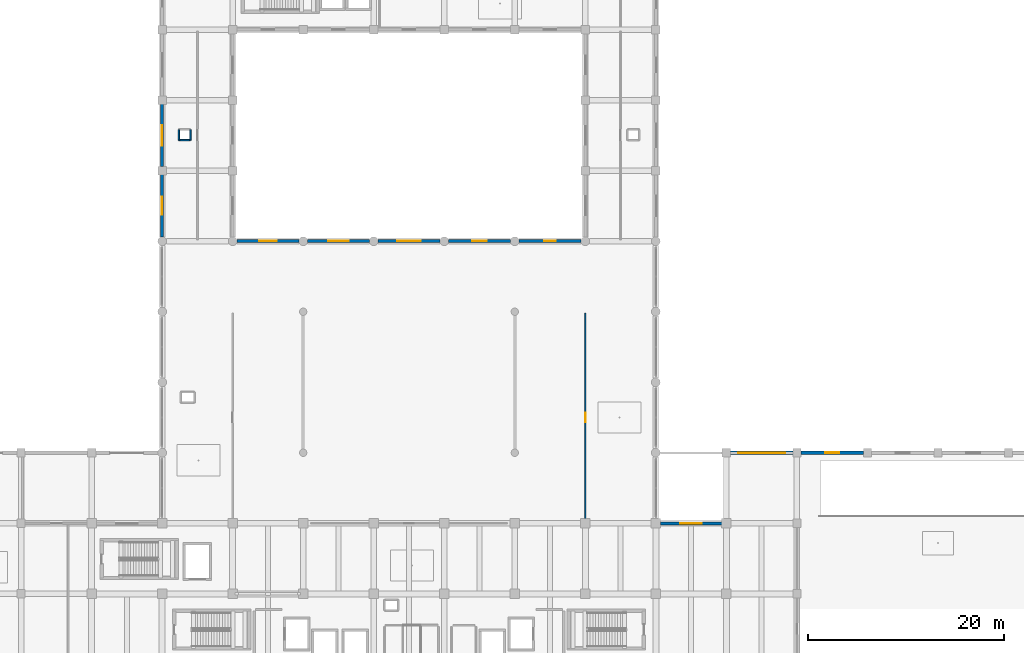
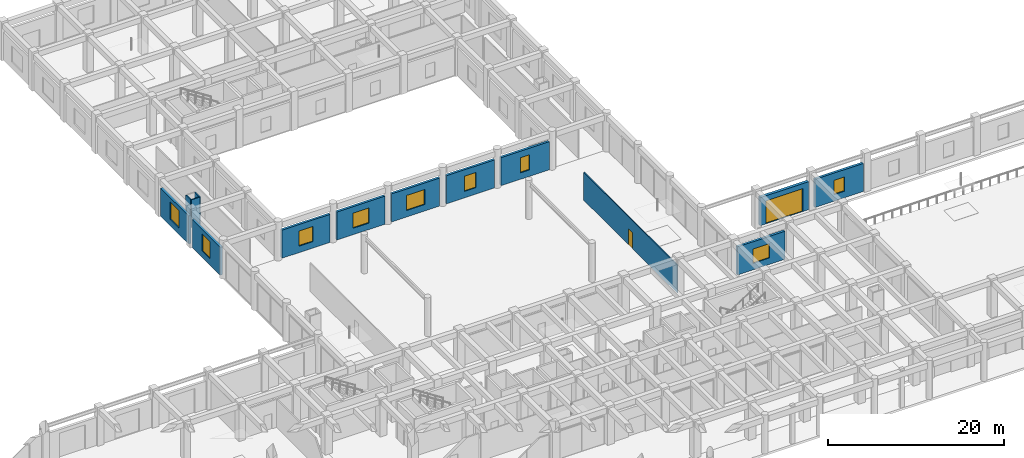
# One storey, part 29 of 56: 14 walls, 9 windows, 2 doors, 11 openings.
"""IFC4 building model written with IfcOpenShell, lengths in metres."""

import ifcopenshell
import ifcopenshell.guid

model = None  # the IFC model being written
_history = None  # IfcOwnerHistory: only IFC2X3 demands one
_inside = {}  # id of a spatial element -> (the spatial element, [elements in it])
_under = {}  # id of a project, library or spatial element -> (it, [spatial elements below it])
_declared = {}  # id of a project -> (the project, [libraries it declares])
_typed = {}  # id of a type object -> (the type object, [elements of that type])
_made_of = {}  # id of a material, layer set ... -> (it, [elements and type objects made of it])


def new_model(schema):
    """Start an empty IFC model of exactly this schema.

    Asked for "IFC4X3", IfcOpenShell would pick the latest addendum, in which some entities
    have other attributes; the version numbers below select the first issue.
    IFC2X3 requires an IfcOwnerHistory on every rooted entity: one is made here for all.
    """
    global model, _history
    if schema == "IFC4X3":
        model = ifcopenshell.file(schema_version=(4, 3, 0, 0))
    else:
        model = ifcopenshell.file(schema=schema)
    _inside.clear()
    _under.clear()
    _declared.clear()
    _typed.clear()
    _made_of.clear()
    _history = None
    if model.schema == "IFC2X3":
        org = make("IfcOrganization", Name="unknown")
        user = make(
            "IfcPersonAndOrganization",
            ThePerson=make("IfcPerson", FamilyName="unknown"),
            TheOrganization=org,
        )
        app = make(
            "IfcApplication",
            ApplicationDeveloper=org,
            Version="unknown",
            ApplicationFullName="unknown",
            ApplicationIdentifier="unknown",
        )
        _history = make(
            "IfcOwnerHistory",
            OwningUser=user,
            OwningApplication=app,
            ChangeAction="ADDED",
            CreationDate=0,
        )
    return model


def make(cls, **values):
    """One entity of the class cls with the attributes given. An attribute that is None is left unset."""
    return model.create_entity(
        cls, **{name: value for name, value in values.items() if value is not None}
    )


def rooted(cls, **values):
    """An entity with a GlobalId (a new one), such as an element, a storey or a relation."""
    return make(cls, GlobalId=ifcopenshell.guid.new(), OwnerHistory=_history, **values)


def si_unit(unit_type, name, prefix=None):
    """IfcSIUnit, for example si_unit("LENGTHUNIT", "METRE", prefix="MILLI")."""
    return make("IfcSIUnit", UnitType=unit_type, Prefix=prefix, Name=name)


def assignment(units):
    """IfcUnitAssignment: the units of a project."""
    return None if units is None else make("IfcUnitAssignment", Units=units)


def point(xyz):
    """IfcCartesianPoint."""
    return None if xyz is None else make("IfcCartesianPoint", Coordinates=xyz)


def direction(xyz):
    """IfcDirection."""
    return None if xyz is None else make("IfcDirection", DirectionRatios=xyz)


def frame(location, z_axis=None, x_axis=None):
    """IfcAxis2Placement3D, a coordinate frame: its origin and axes. An axis left out is left unset."""
    return make(
        "IfcAxis2Placement3D",
        Location=point(location),
        Axis=direction(z_axis),
        RefDirection=direction(x_axis),
    )


def frame_2d(location, x_axis=None):
    """IfcAxis2Placement2D, a coordinate frame in the plane: its origin and x axis."""
    return make(
        "IfcAxis2Placement2D", Location=point(location), RefDirection=direction(x_axis)
    )


def origin():
    """The frame at (0, 0, 0) with its axes left unset."""
    return frame((0.0, 0.0, 0.0))


def place(relative_to, where):
    """IfcLocalPlacement: puts the frame where relative to a parent placement (None: the world)."""
    return make(
        "IfcLocalPlacement", PlacementRelTo=relative_to, RelativePlacement=where
    )


def context(
    kind, dimensions, precision=None, world=None, true_north=None, identifier=None
):
    """IfcGeometricRepresentationContext, for example the 3D "Model" context."""
    return make(
        "IfcGeometricRepresentationContext",
        ContextIdentifier=identifier,
        ContextType=kind,
        CoordinateSpaceDimension=dimensions,
        Precision=precision,
        WorldCoordinateSystem=world,
        TrueNorth=true_north,
    )


def subcontext(parent, identifier, kind, view, scale=None):
    """IfcGeometricRepresentationSubContext, for example "Body" below "Model"."""
    return make(
        "IfcGeometricRepresentationSubContext",
        ContextIdentifier=identifier,
        ContextType=kind,
        ParentContext=parent,
        TargetScale=scale,
        TargetView=view,
    )


def project(units=None, contexts=None):
    """IfcProject with its units and contexts."""
    return rooted(
        "IfcProject",
        Name="project",
        RepresentationContexts=contexts,
        UnitsInContext=assignment(units),
    )


def spatial(cls, under=None, at=None, **own):
    """A site, building, storey or space (cls), placed at a placement, below another one or the project."""
    s = rooted(cls, ObjectPlacement=at, **own)
    if under is not None:
        _under.setdefault(under.id(), (under, []))[1].append(s)
    return s


def profile(cls, at=None, kind="AREA", **sizes):
    """A parametric profile (cls). Its sizes go by their IFC names, for example OverallWidth=200.0."""
    return make(cls, ProfileType=kind, Position=at, **sizes)


def rectangle(**sizes):
    """IfcRectangleProfileDef."""
    return profile("IfcRectangleProfileDef", **sizes)


def extrude(swept, where, along, depth):
    """IfcExtrudedAreaSolid: the profile swept, set in the frame where, extruded along a direction by depth."""
    return make(
        "IfcExtrudedAreaSolid",
        SweptArea=swept,
        Position=where,
        ExtrudedDirection=direction(along),
        Depth=depth,
    )


def shape(context_of_items, identifier, shape_type, items):
    """IfcShapeRepresentation: the items that make up one representation, for example the "Body"."""
    return make(
        "IfcShapeRepresentation",
        ContextOfItems=context_of_items,
        RepresentationIdentifier=identifier,
        RepresentationType=shape_type,
        Items=items,
    )


def material(Name=None, Category=None):
    """IfcMaterial."""
    return make("IfcMaterial", Name=Name, Category=Category)


def layer(
    of_material, thickness, ventilated=None, Name=None, Category=None, Priority=None
):
    """IfcMaterialLayer: one layer of a wall or slab, of a material (None: an air gap)."""
    return make(
        "IfcMaterialLayer",
        Material=of_material,
        LayerThickness=thickness,
        IsVentilated=ventilated,
        Name=Name,
        Category=Category,
        Priority=Priority,
    )


def layer_set(layers, Name=None):
    """IfcMaterialLayerSet."""
    return make("IfcMaterialLayerSet", MaterialLayers=layers, LayerSetName=Name)


def made_of(thing, what):
    """Note that an element or type object is made of a material, layer set ...; save() writes the relation."""
    if what is not None:
        _made_of.setdefault(what.id(), (what, []))[1].append(thing)
    return thing


def type_object(cls, material=None, **own):
    """A type object (cls), such as IfcWallType, which elements share."""
    return made_of(rooted(cls, **own), material)


def element(
    cls,
    number,
    at=None,
    inside=None,
    cuts=None,
    type_object=None,
    material=None,
    context=None,
    identifier="Body",
    shape_type=None,
    held_by="IfcProductDefinitionShape",
    body=None,
    shapes=None,
    **own,
):
    """One element of the class cls, such as IfcWall. Its Tag is "e" and its number.

    at: its placement. inside: the storey or other place that contains it. cuts: it is an
    opening in that element (IfcRelVoidsElement). A single representation is given by context,
    identifier, shape_type and body (its items); several are given by shapes. held_by: the class
    of the entity that holds the representations. save() writes the other relations.
    """
    e = rooted(cls, Tag="e%d" % number, ObjectPlacement=at, **own)
    if body is not None:
        shapes = [shape(context, identifier, shape_type, body)]
    if shapes is not None:
        e.Representation = make(held_by, Representations=shapes)
    if inside is not None:
        _inside.setdefault(inside.id(), (inside, []))[1].append(e)
    if cuts is not None:
        rooted(
            "IfcRelVoidsElement", RelatingBuildingElement=cuts, RelatedOpeningElement=e
        )
    if type_object is not None:
        _typed.setdefault(type_object.id(), (type_object, []))[1].append(e)
    return made_of(e, material)


def fill(opening, filler):
    """IfcRelFillsElement: the door or window that sits in an opening."""
    return rooted(
        "IfcRelFillsElement",
        RelatingOpeningElement=opening,
        RelatedBuildingElement=filler,
    )


def aggregate(whole, parts):
    """IfcRelAggregates: a whole, such as a stair, and the parts it consists of."""
    return rooted("IfcRelAggregates", RelatingObject=whole, RelatedObjects=parts)


def save(model, path):
    """Write the relations noted so far, then the file.

    IfcRelAggregates (storeys below a building ...), IfcRelContainedInSpatialStructure (elements
    in a storey), IfcRelDefinesByType, IfcRelAssociatesMaterial and IfcRelDeclares: one each for
    every whole, place, type object, material and project.
    """
    for whole, parts in _under.values():
        aggregate(whole, parts)
    for where, things in _inside.values():
        rooted(
            "IfcRelContainedInSpatialStructure",
            RelatedElements=things,
            RelatingStructure=where,
        )
    for kind, things in _typed.values():
        rooted("IfcRelDefinesByType", RelatedObjects=things, RelatingType=kind)
    for what, things in _made_of.values():
        rooted("IfcRelAssociatesMaterial", RelatedObjects=things, RelatingMaterial=what)
    for by, libraries in _declared.values():
        rooted("IfcRelDeclares", RelatingContext=by, RelatedDefinitions=libraries)
    model.write(path)


model = new_model("IFC4")

# Units and contexts
model_context = context("Model", 3, precision=1e-05, world=origin(), true_north=direction((0.0, 1.0)))
body_context = subcontext(model_context, "Body", "Model", "MODEL_VIEW")
ifc_project = project(units=[si_unit("LENGTHUNIT", "METRE"), si_unit("AREAUNIT", "SQUARE_METRE"), si_unit("VOLUMEUNIT", "CUBIC_METRE"), si_unit("PLANEANGLEUNIT", "RADIAN"), si_unit("MASSUNIT", "GRAM", prefix="KILO")], contexts=[model_context])

# Site, building, storey
site_placement = place(None, origin())
site = spatial("IfcSite", under=ifc_project, at=site_placement, CompositionType="ELEMENT")
building_placement = place(site_placement, origin())
building = spatial("IfcBuilding", under=site, at=building_placement, Name="Kazehaya Institute of Natural Sciences", CompositionType="ELEMENT")
storey_placement = place(building_placement, origin())
storey = spatial("IfcBuildingStorey", under=building, at=storey_placement, Name="L00", CompositionType="ELEMENT", Elevation=0.0)

# Wall, opening, window
ifc_material_1 = material(Name="Precast concrete Fc36", Category="concrete")
ifc_layer_1 = layer(ifc_material_1, 0.31005859375, Name="Precast concrete Fc36", Category="concrete")
ifc_layer_set_1 = layer_set([ifc_layer_1], Name="Precast concrete Fc36")
wall_type_1 = type_object("IfcWallType", Name="WL-EXT-310", PredefinedType="SOLIDWALL", material=ifc_layer_set_1)
wall_1_placement = place(storey_placement, frame((69.43505859375, 64.39990234375, 0.0), z_axis=(0.0, 0.0, 1.0), x_axis=(1.0, 0.0, 0.0)))
wall_1 = element("IfcWall", 1, at=wall_1_placement, inside=storey, type_object=wall_type_1, Name="L00 exterior wall EW-L00-0115", PredefinedType="SOLIDWALL", context=body_context, shape_type="SweptSolid", body=[
    extrude(rectangle(XDim=6.329833984375, YDim=0.31005859375, at=frame_2d((3.1650390625, 0.0))), origin(), (0.0, 0.0, 1.0), 3.89990234375),
])
opening_1_placement = place(wall_1_placement, frame((2.264892578125, 0.0, 0.89990234375)))
opening_1 = element("IfcOpeningElement", 2, at=opening_1_placement, cuts=wall_1, Name="Opening W06", PredefinedType="OPENING", context=body_context, shape_type="SweptSolid", body=[
    extrude(rectangle(XDim=1.800048828125, YDim=2.10009765625, at=frame_2d((0.89990234375, 1.050048828125))), frame((0.0, 0.1650390625, 0.0), z_axis=(0.0, -1.0, 0.0), x_axis=(1.0, 0.0, 0.0)), (0.0, 0.0, 1.0), 0.330078125),
])
ifc_material_2 = material(Name="Low-E double-glazed aluminium window", Category="aluminium")
window_type_1 = type_object("IfcWindowType", Name="WN-06", PartitioningType="DOUBLE_PANEL_VERTICAL", PredefinedType="WINDOW", material=ifc_material_2)
window_1_placement = place(opening_1_placement, origin())
window_1 = element("IfcWindow", 3, at=window_1_placement, inside=storey, type_object=window_type_1, Name="L00 facade window 0018", OverallHeight=2.10009765625, OverallWidth=1.800048828125, PartitioningType="DOUBLE_PANEL_VERTICAL", PredefinedType="WINDOW", context=body_context, shape_type="SweptSolid", body=[
    extrude(rectangle(XDim=1.800048828125, YDim=2.10009765625, at=frame_2d((0.89990234375, 1.050048828125))), frame((0.0, 0.030029296875, 0.0), z_axis=(0.0, -1.0, 0.0), x_axis=(1.0, 0.0, 0.0)), (0.0, 0.0, 1.0), 0.06005859375),
])
fill(opening_1, window_1)

wall_2_placement = place(storey_placement, frame((76.635009765625, 64.39990234375, 0.0), z_axis=(0.0, 0.0, 1.0), x_axis=(1.0, 0.0, 0.0)))
wall_2 = element("IfcWall", 4, at=wall_2_placement, inside=storey, type_object=wall_type_1, Name="L00 exterior wall EW-L00-0116", PredefinedType="SOLIDWALL", context=body_context, shape_type="SweptSolid", body=[
    extrude(rectangle(XDim=6.330078125, YDim=0.31005859375, at=frame_2d((3.1650390625, 0.0))), origin(), (0.0, 0.0, 1.0), 3.89990234375),
])
opening_2_placement = place(wall_2_placement, frame((2.114990234375, 0.0, 0.89990234375)))
opening_2 = element("IfcOpeningElement", 5, at=opening_2_placement, cuts=wall_2, Name="Opening W07", PredefinedType="OPENING", context=body_context, shape_type="SweptSolid", body=[
    extrude(rectangle(XDim=2.10009765625, YDim=2.10009765625, at=frame_2d((1.050048828125, 1.050048828125))), frame((0.0, 0.1650390625, 0.0), z_axis=(0.0, -1.0, 0.0), x_axis=(1.0, 0.0, 0.0)), (0.0, 0.0, 1.0), 0.330078125),
])
window_type_2 = type_object("IfcWindowType", Name="WN-07", PartitioningType="DOUBLE_PANEL_VERTICAL", PredefinedType="WINDOW", material=ifc_material_2)
window_2_placement = place(opening_2_placement, origin())
window_2 = element("IfcWindow", 6, at=window_2_placement, inside=storey, type_object=window_type_2, Name="L00 facade window 0019", OverallHeight=2.10009765625, OverallWidth=2.10009765625, PartitioningType="DOUBLE_PANEL_VERTICAL", PredefinedType="WINDOW", context=body_context, shape_type="SweptSolid", body=[
    extrude(rectangle(XDim=2.10009765625, YDim=2.10009765625, at=frame_2d((1.050048828125, 1.050048828125))), frame((0.0, 0.030029296875, 0.0), z_axis=(0.0, -1.0, 0.0), x_axis=(1.0, 0.0, 0.0)), (0.0, 0.0, 1.0), 0.06005859375),
])
fill(opening_2, window_2)

wall_3_placement = place(storey_placement, frame((83.8349609375, 64.39990234375, 0.0), z_axis=(0.0, 0.0, 1.0), x_axis=(1.0, 0.0, 0.0)))
wall_3 = element("IfcWall", 7, at=wall_3_placement, inside=storey, type_object=wall_type_1, Name="L00 exterior wall EW-L00-0117", PredefinedType="SOLIDWALL", context=body_context, shape_type="SweptSolid", body=[
    extrude(rectangle(XDim=6.330078125, YDim=0.31005859375, at=frame_2d((3.1650390625, 0.0))), origin(), (0.0, 0.0, 1.0), 3.89990234375),
])
opening_3_placement = place(wall_3_placement, frame((1.965087890625, 0.0, 0.89990234375)))
opening_3 = element("IfcOpeningElement", 8, at=opening_3_placement, cuts=wall_3, Name="Opening W08", PredefinedType="OPENING", context=body_context, shape_type="SweptSolid", body=[
    extrude(rectangle(XDim=2.39990234375, YDim=2.10009765625, at=frame_2d((1.199951171875, 1.050048828125))), frame((0.0, 0.1650390625, 0.0), z_axis=(0.0, -1.0, 0.0), x_axis=(1.0, 0.0, 0.0)), (0.0, 0.0, 1.0), 0.330078125),
])
window_type_3 = type_object("IfcWindowType", Name="WN-08", PartitioningType="DOUBLE_PANEL_VERTICAL", PredefinedType="WINDOW", material=ifc_material_2)
window_3_placement = place(opening_3_placement, origin())
window_3 = element("IfcWindow", 9, at=window_3_placement, inside=storey, type_object=window_type_3, Name="L00 facade window 0020", OverallHeight=2.10009765625, OverallWidth=2.39990234375, PartitioningType="DOUBLE_PANEL_VERTICAL", PredefinedType="WINDOW", context=body_context, shape_type="SweptSolid", body=[
    extrude(rectangle(XDim=2.39990234375, YDim=2.10009765625, at=frame_2d((1.199951171875, 1.050048828125))), frame((0.0, 0.030029296875, 0.0), z_axis=(0.0, -1.0, 0.0), x_axis=(1.0, 0.0, 0.0)), (0.0, 0.0, 1.0), 0.06005859375),
])
fill(opening_3, window_3)

wall_4_placement = place(storey_placement, frame((91.034912109375, 64.39990234375, 0.0), z_axis=(0.0, 0.0, 1.0), x_axis=(1.0, 0.0, 0.0)))
wall_4 = element("IfcWall", 10, at=wall_4_placement, inside=storey, type_object=wall_type_1, Name="L00 exterior wall EW-L00-0118", PredefinedType="SOLIDWALL", context=body_context, shape_type="SweptSolid", body=[
    extrude(rectangle(XDim=6.330078125, YDim=0.31005859375, at=frame_2d((3.1650390625, 0.0))), origin(), (0.0, 0.0, 1.0), 3.89990234375),
])
opening_4_placement = place(wall_4_placement, frame((2.4150390625, 0.0, 0.89990234375)))
opening_4 = element("IfcOpeningElement", 11, at=opening_4_placement, cuts=wall_4, Name="Opening W09", PredefinedType="OPENING", context=body_context, shape_type="SweptSolid", body=[
    extrude(rectangle(XDim=1.5, YDim=2.10009765625, at=frame_2d((0.75, 1.050048828125))), frame((0.0, 0.1650390625, 0.0), z_axis=(0.0, -1.0, 0.0), x_axis=(1.0, 0.0, 0.0)), (0.0, 0.0, 1.0), 0.330078125),
])
window_type_4 = type_object("IfcWindowType", Name="WN-09", PartitioningType="SINGLE_PANEL", PredefinedType="WINDOW", material=ifc_material_2)
window_4_placement = place(opening_4_placement, origin())
window_4 = element("IfcWindow", 12, at=window_4_placement, inside=storey, type_object=window_type_4, Name="L00 facade window 0021", OverallHeight=2.10009765625, OverallWidth=1.5, PartitioningType="SINGLE_PANEL", PredefinedType="WINDOW", context=body_context, shape_type="SweptSolid", body=[
    extrude(rectangle(XDim=1.5, YDim=2.10009765625, at=frame_2d((0.75, 1.050048828125))), frame((0.0, 0.030029296875, 0.0), z_axis=(0.0, -1.0, 0.0), x_axis=(1.0, 0.0, 0.0)), (0.0, 0.0, 1.0), 0.06005859375),
])
fill(opening_4, window_4)

wall_5_placement = place(storey_placement, frame((98.235107421875, 64.39990234375, 0.0), z_axis=(0.0, 0.0, 1.0), x_axis=(1.0, 0.0, 0.0)))
wall_5 = element("IfcWall", 13, at=wall_5_placement, inside=storey, type_object=wall_type_1, Name="L00 exterior wall EW-L00-0119", PredefinedType="SOLIDWALL", context=body_context, shape_type="SweptSolid", body=[
    extrude(rectangle(XDim=6.329833984375, YDim=0.31005859375, at=frame_2d((3.1650390625, 0.0))), origin(), (0.0, 0.0, 1.0), 3.89990234375),
])
opening_5_placement = place(wall_5_placement, frame((2.56494140625, 0.0, 0.89990234375)))
opening_5 = element("IfcOpeningElement", 14, at=opening_5_placement, cuts=wall_5, Name="Opening W10", PredefinedType="OPENING", context=body_context, shape_type="SweptSolid", body=[
    extrude(rectangle(XDim=1.199951171875, YDim=2.10009765625, at=frame_2d((0.60009765625, 1.050048828125))), frame((0.0, 0.1650390625, 0.0), z_axis=(0.0, -1.0, 0.0), x_axis=(1.0, 0.0, 0.0)), (0.0, 0.0, 1.0), 0.330078125),
])
window_type_5 = type_object("IfcWindowType", Name="WN-10", PartitioningType="SINGLE_PANEL", PredefinedType="WINDOW", material=ifc_material_2)
window_5_placement = place(opening_5_placement, origin())
window_5 = element("IfcWindow", 15, at=window_5_placement, inside=storey, type_object=window_type_5, Name="L00 facade window 0022", OverallHeight=2.10009765625, OverallWidth=1.199951171875, PartitioningType="SINGLE_PANEL", PredefinedType="WINDOW", context=body_context, shape_type="SweptSolid", body=[
    extrude(rectangle(XDim=1.199951171875, YDim=2.10009765625, at=frame_2d((0.60009765625, 1.050048828125))), frame((0.0, 0.030029296875, 0.0), z_axis=(0.0, -1.0, 0.0), x_axis=(1.0, 0.0, 0.0)), (0.0, 0.0, 1.0), 0.06005859375),
])
fill(opening_5, window_5)

wall_6_placement = place(storey_placement, frame((112.659912109375, 35.60009765625, 0.0), z_axis=(0.0, 0.0, 1.0), x_axis=(1.0, 0.0, 0.0)))
wall_6 = element("IfcWall", 16, at=wall_6_placement, inside=storey, type_object=wall_type_1, Name="L00 exterior wall EW-L00-0121", PredefinedType="SOLIDWALL", context=body_context, shape_type="SweptSolid", body=[
    extrude(rectangle(XDim=6.280029296875, YDim=0.31005859375, at=frame_2d((3.14013671875, 0.0))), origin(), (0.0, 0.0, 1.0), 3.89990234375),
])
opening_6_placement = place(wall_6_placement, frame((2.0400390625, 0.0, 0.89990234375)))
opening_6 = element("IfcOpeningElement", 17, at=opening_6_placement, cuts=wall_6, Name="Opening W20", PredefinedType="OPENING", context=body_context, shape_type="SweptSolid", body=[
    extrude(rectangle(XDim=2.199951171875, YDim=2.0, at=frame_2d((1.10009765625, 1.0))), frame((0.0, 0.1650390625, 0.0), z_axis=(0.0, -1.0, 0.0), x_axis=(1.0, 0.0, 0.0)), (0.0, 0.0, 1.0), 0.330078125),
])
window_type_6 = type_object("IfcWindowType", Name="WN-20", PartitioningType="DOUBLE_PANEL_VERTICAL", PredefinedType="WINDOW", material=ifc_material_2)
window_6_placement = place(opening_6_placement, origin())
window_6 = element("IfcWindow", 18, at=window_6_placement, inside=storey, type_object=window_type_6, Name="L00 facade window 0024", OverallHeight=2.0, OverallWidth=2.199951171875, PartitioningType="DOUBLE_PANEL_VERTICAL", PredefinedType="WINDOW", context=body_context, shape_type="SweptSolid", body=[
    extrude(rectangle(XDim=2.199951171875, YDim=2.0, at=frame_2d((1.10009765625, 1.0))), frame((0.0, 0.030029296875, 0.0), z_axis=(0.0, -1.0, 0.0), x_axis=(1.0, 0.0, 0.0)), (0.0, 0.0, 1.0), 0.06005859375),
])
fill(opening_6, window_6)

ifc_layer_2 = layer(ifc_material_1, 0.320068359375, Name="Precast concrete Fc36", Category="concrete")
ifc_layer_set_2 = layer_set([ifc_layer_2], Name="Precast concrete Fc36")
wall_type_2 = type_object("IfcWallType", Name="WL-EXT-320", PredefinedType="SOLIDWALL", material=ifc_layer_set_2)
wall_7_placement = place(storey_placement, frame((127.010009765625, 42.800048828125, 0.0), z_axis=(0.0, 0.0, 1.0), x_axis=(1.0, 0.0, 0.0)))
wall_7 = element("IfcWall", 19, at=wall_7_placement, inside=storey, type_object=wall_type_2, Name="L00 exterior wall EW-L00-0110", PredefinedType="SOLIDWALL", context=body_context, shape_type="SweptSolid", body=[
    extrude(rectangle(XDim=6.3798828125, YDim=0.320068359375, at=frame_2d((3.18994140625, 0.0))), origin(), (0.0, 0.0, 1.0), 3.89990234375),
])
opening_7_placement = place(wall_7_placement, frame((2.489990234375, 0.0, 0.89990234375)))
opening_7 = element("IfcOpeningElement", 20, at=opening_7_placement, cuts=wall_7, Name="Opening W21", PredefinedType="OPENING", context=body_context, shape_type="SweptSolid", body=[
    extrude(rectangle(XDim=1.39990234375, YDim=2.0, at=frame_2d((0.699951171875, 1.0))), frame((0.0, 0.169921875, 0.0), z_axis=(0.0, -1.0, 0.0), x_axis=(1.0, 0.0, 0.0)), (0.0, 0.0, 1.0), 0.340087890625),
])
window_type_7 = type_object("IfcWindowType", Name="WN-21", PartitioningType="SINGLE_PANEL", PredefinedType="WINDOW", material=ifc_material_2)
window_7_placement = place(opening_7_placement, origin())
window_7 = element("IfcWindow", 21, at=window_7_placement, inside=storey, type_object=window_type_7, Name="L00 facade window 0013", OverallHeight=2.0, OverallWidth=1.39990234375, PartitioningType="SINGLE_PANEL", PredefinedType="WINDOW", context=body_context, shape_type="SweptSolid", body=[
    extrude(rectangle(XDim=1.39990234375, YDim=2.0, at=frame_2d((0.699951171875, 1.0))), frame((0.0, 0.030029296875, 0.0), z_axis=(0.0, -1.0, 0.0), x_axis=(1.0, 0.0, 0.0)), (0.0, 0.0, 1.0), 0.06005859375),
])
fill(opening_7, window_7)

wall_8_placement = place(storey_placement, frame((61.800048828125, 64.8349609375, 0.0), z_axis=(0.0, 0.0, 1.0), x_axis=(0.0, 1.0, 0.0)))
wall_8 = element("IfcWall", 22, at=wall_8_placement, inside=storey, type_object=wall_type_2, Name="L00 exterior wall EW-L00-0122", PredefinedType="SOLIDWALL", context=body_context, shape_type="SweptSolid", body=[
    extrude(rectangle(XDim=6.35498046875, YDim=0.320068359375, at=frame_2d((3.177490234375, 0.0))), origin(), (0.0, 0.0, 1.0), 3.89990234375),
])
opening_8_placement = place(wall_8_placement, frame((2.277587890625, 0.0, 0.89990234375)))
opening_8 = element("IfcOpeningElement", 23, at=opening_8_placement, cuts=wall_8, Name="Opening W01", PredefinedType="OPENING", context=body_context, shape_type="SweptSolid", body=[
    extrude(rectangle(XDim=1.800048828125, YDim=2.39990234375, at=frame_2d((0.89990234375, 1.199951171875))), frame((0.0, 0.169921875, 0.0), z_axis=(0.0, -1.0, 0.0), x_axis=(1.0, 0.0, 0.0)), (0.0, 0.0, 1.0), 0.340087890625),
])
window_type_8 = type_object("IfcWindowType", Name="WN-01", PartitioningType="DOUBLE_PANEL_VERTICAL", PredefinedType="WINDOW", material=ifc_material_2)
window_8_placement = place(opening_8_placement, origin())
window_8 = element("IfcWindow", 24, at=window_8_placement, inside=storey, type_object=window_type_8, Name="L00 facade window 0025", OverallHeight=2.39990234375, OverallWidth=1.800048828125, PartitioningType="DOUBLE_PANEL_VERTICAL", PredefinedType="WINDOW", context=body_context, shape_type="SweptSolid", body=[
    extrude(rectangle(XDim=1.800048828125, YDim=2.39990234375, at=frame_2d((0.89990234375, 1.199951171875))), frame((0.0, 0.030029296875, 0.0), z_axis=(0.0, -1.0, 0.0), x_axis=(1.0, 0.0, 0.0)), (0.0, 0.0, 1.0), 0.06005859375),
])
fill(opening_8, window_8)

wall_9_placement = place(storey_placement, frame((61.800048828125, 72.010009765625, 0.0), z_axis=(0.0, 0.0, 1.0), x_axis=(0.0, 1.0, 0.0)))
wall_9 = element("IfcWall", 25, at=wall_9_placement, inside=storey, type_object=wall_type_2, Name="L00 exterior wall EW-L00-0126", PredefinedType="SOLIDWALL", context=body_context, shape_type="SweptSolid", body=[
    extrude(rectangle(XDim=6.3798828125, YDim=0.320068359375, at=frame_2d((3.18994140625, 0.0))), origin(), (0.0, 0.0, 1.0), 3.89990234375),
])
opening_9_placement = place(wall_9_placement, frame((2.139892578125, 0.0, 0.89990234375)))
opening_9 = element("IfcOpeningElement", 26, at=opening_9_placement, cuts=wall_9, Name="Opening W02", PredefinedType="OPENING", context=body_context, shape_type="SweptSolid", body=[
    extrude(rectangle(XDim=2.10009765625, YDim=2.39990234375, at=frame_2d((1.050048828125, 1.199951171875))), frame((0.0, 0.169921875, 0.0), z_axis=(0.0, -1.0, 0.0), x_axis=(1.0, 0.0, 0.0)), (0.0, 0.0, 1.0), 0.340087890625),
])
window_type_9 = type_object("IfcWindowType", Name="WN-02", PartitioningType="DOUBLE_PANEL_VERTICAL", PredefinedType="WINDOW", material=ifc_material_2)
window_9_placement = place(opening_9_placement, origin())
window_9 = element("IfcWindow", 27, at=window_9_placement, inside=storey, type_object=window_type_9, Name="L00 facade window 0029", OverallHeight=2.39990234375, OverallWidth=2.10009765625, PartitioningType="DOUBLE_PANEL_VERTICAL", PredefinedType="WINDOW", context=body_context, shape_type="SweptSolid", body=[
    extrude(rectangle(XDim=2.10009765625, YDim=2.39990234375, at=frame_2d((1.050048828125, 1.199951171875))), frame((0.0, 0.030029296875, 0.0), z_axis=(0.0, -1.0, 0.0), x_axis=(1.0, 0.0, 0.0)), (0.0, 0.0, 1.0), 0.06005859375),
])
fill(opening_9, window_9)

# Wall, opening, door
ifc_layer_3 = layer(ifc_material_1, 0.3701171875, Name="Precast concrete Fc36", Category="concrete")
ifc_layer_set_3 = layer_set([ifc_layer_3], Name="Precast concrete Fc36")
wall_type_3 = type_object("IfcWallType", Name="WL-EXT-370", PredefinedType="SOLIDWALL", material=ifc_layer_set_3)
wall_10_placement = place(storey_placement, frame((119.81005859375, 42.800048828125, 0.0), z_axis=(0.0, 0.0, 1.0), x_axis=(1.0, 0.0, 0.0)))
wall_10 = element("IfcWall", 28, at=wall_10_placement, inside=storey, type_object=wall_type_3, Name="L00 exterior wall EW-L00-0109", PredefinedType="SOLIDWALL", context=body_context, shape_type="SweptSolid", body=[
    extrude(rectangle(XDim=6.3798828125, YDim=0.3701171875, at=frame_2d((3.18994140625, 0.0))), origin(), (0.0, 0.0, 1.0), 3.89990234375),
])
opening_10_placement = place(wall_10_placement, frame((0.7900390625, 0.0, 0.0)))
opening_10 = element("IfcOpeningElement", 29, at=opening_10_placement, cuts=wall_10, Name="Opening GD-01", PredefinedType="OPENING", context=body_context, shape_type="SweptSolid", body=[
    extrude(rectangle(XDim=4.800048828125, YDim=3.199951171875, at=frame_2d((2.39990234375, 1.60009765625))), frame((0.0, 0.195068359375, 0.0), z_axis=(0.0, -1.0, 0.0), x_axis=(1.0, 0.0, 0.0)), (0.0, 0.0, 1.0), 0.39013671875),
])
ifc_material_3 = material(Name="Insulated bronze-clad steel door", Category="steel")
door_type_1 = type_object("IfcDoorType", Name="DT-GATE-4800x3200", OperationType="ROLLINGUP", PredefinedType="GATE", material=ifc_material_3)
door_1_placement = place(opening_10_placement, origin())
door_1 = element("IfcDoor", 30, at=door_1_placement, inside=storey, type_object=door_type_1, Name="L00 exterior door GD-01", OperationType="ROLLINGUP", OverallHeight=3.199951171875, OverallWidth=4.800048828125, PredefinedType="GATE", context=body_context, shape_type="SweptSolid", body=[
    extrude(rectangle(XDim=4.800048828125, YDim=3.199951171875, at=frame_2d((2.39990234375, 1.60009765625))), frame((0.0, 0.02490234375, 0.0), z_axis=(0.0, -1.0, 0.0), x_axis=(1.0, 0.0, 0.0)), (0.0, 0.0, 1.0), 0.050048828125),
])
fill(opening_10, door_1)

ifc_material_4 = material(Name="Gypsum write-up office partition", Category="gypsum")
ifc_layer_4 = layer(ifc_material_4, 0.1201171875, Name="Gypsum write-up office partition", Category="gypsum")
ifc_layer_set_4 = layer_set([ifc_layer_4], Name="Gypsum write-up office partition")
wall_type_4 = type_object("IfcWallType", Name="WL-PART-120", PredefinedType="PARTITIONING", material=ifc_layer_set_4)
wall_11_placement = place(storey_placement, frame((105.0, 35.75, 0.0), z_axis=(0.0, 0.0, 1.0), x_axis=(0.0, 1.0, 0.0)))
wall_11 = element("IfcWall", 31, at=wall_11_placement, inside=storey, type_object=wall_type_4, Name="L00 Outreach Exhibition Gallery partition IW-L00-0071", PredefinedType="PARTITIONING", context=body_context, shape_type="SweptSolid", body=[
    extrude(rectangle(XDim=21.300048828125, YDim=0.1201171875, at=frame_2d((10.64990234375, 0.0))), origin(), (0.0, 0.0, 1.0), 3.8798828125),
])
opening_11_placement = place(wall_11_placement, frame((10.155029296875, 0.0, 0.0)))
opening_11 = element("IfcOpeningElement", 32, at=opening_11_placement, cuts=wall_11, Name="Opening D-L00-0070", PredefinedType="OPENING", context=body_context, shape_type="SweptSolid", body=[
    extrude(rectangle(XDim=0.989990234375, YDim=2.219970703125, at=frame_2d((0.4951171875, 1.10986328125))), frame((0.0, 0.070068359375, 0.0), z_axis=(0.0, -1.0, 0.0), x_axis=(1.0, 0.0, 0.0)), (0.0, 0.0, 1.0), 0.14013671875),
])
ifc_material_5 = material(Name="Flush timber and aluminium laboratory door", Category="wood")
door_type_2 = type_object("IfcDoorType", Name="DT-INT-16", OperationType="NOTDEFINED", PredefinedType="DOOR", material=ifc_material_5)
door_2_placement = place(opening_11_placement, origin())
door_2 = element("IfcDoor", 33, at=door_2_placement, inside=storey, type_object=door_type_2, Name="L00 Outreach Exhibition Gallery door D-L00-0070", OperationType="SINGLE_SWING_RIGHT", OverallHeight=2.219970703125, OverallWidth=0.989990234375, PredefinedType="DOOR", context=body_context, shape_type="SweptSolid", body=[
    extrude(rectangle(XDim=0.989990234375, YDim=2.219970703125, at=frame_2d((0.4951171875, 1.10986328125))), frame((0.0, 0.02490234375, 0.0), z_axis=(0.0, -1.0, 0.0), x_axis=(1.0, 0.0, 0.0)), (0.0, 0.0, 1.0), 0.050048828125),
])
fill(opening_11, door_2)

# Walls
ifc_material_6 = material(Name="Concrete Fc36", Category="concrete")
ifc_layer_5 = layer(ifc_material_6, 0.14990234375, Name="Concrete Fc36", Category="concrete")
ifc_layer_set_5 = layer_set([ifc_layer_5], Name="Concrete Fc36")
wall_type_5 = type_object("IfcWallType", Name="WL-RISER-150", PredefinedType="PARTITIONING", material=ifc_layer_set_5)
wall_12_placement = place(storey_placement, frame((64.68505859375, 74.715087890625, 0.0), z_axis=(0.0, 0.0, 1.0), x_axis=(-1.0, 0.0, 0.0)))
element("IfcWall", 34, at=wall_12_placement, inside=storey, type_object=wall_type_5, Name="L00 fume exhaust riser shaft wall 14", PredefinedType="PARTITIONING", context=body_context, shape_type="SweptSolid", body=[
    extrude(rectangle(XDim=1.170166015625, YDim=0.14990234375, at=frame_2d((0.5849609375, 0.0))), origin(), (0.0, 0.0, 1.0), 3.8798828125),
])
for number, where, z_axis, x_axis, name in (
    (35, (63.514892578125, 74.715087890625, 0.0), (0.0, 0.0, 1.0), (0.0, 1.0, 0.0), "L00 fume exhaust riser shaft wall 14"),
    (36, (64.68505859375, 75.784912109375, 0.0), (0.0, 0.0, 1.0), (0.0, -1.0, 0.0), "L00 fume exhaust riser shaft wall 14"),
):
    element("IfcWall", number, at=place(storey_placement, frame(where, z_axis=z_axis, x_axis=x_axis)), inside=storey, type_object=wall_type_5, Name=name, PredefinedType="PARTITIONING", context=body_context, shape_type="SweptSolid", body=[
        extrude(rectangle(XDim=1.06982421875, YDim=0.14990234375, at=frame_2d((0.534912109375, 0.0))), origin(), (0.0, 0.0, 1.0), 3.8798828125),
    ])

save(model, "model.ifc")
